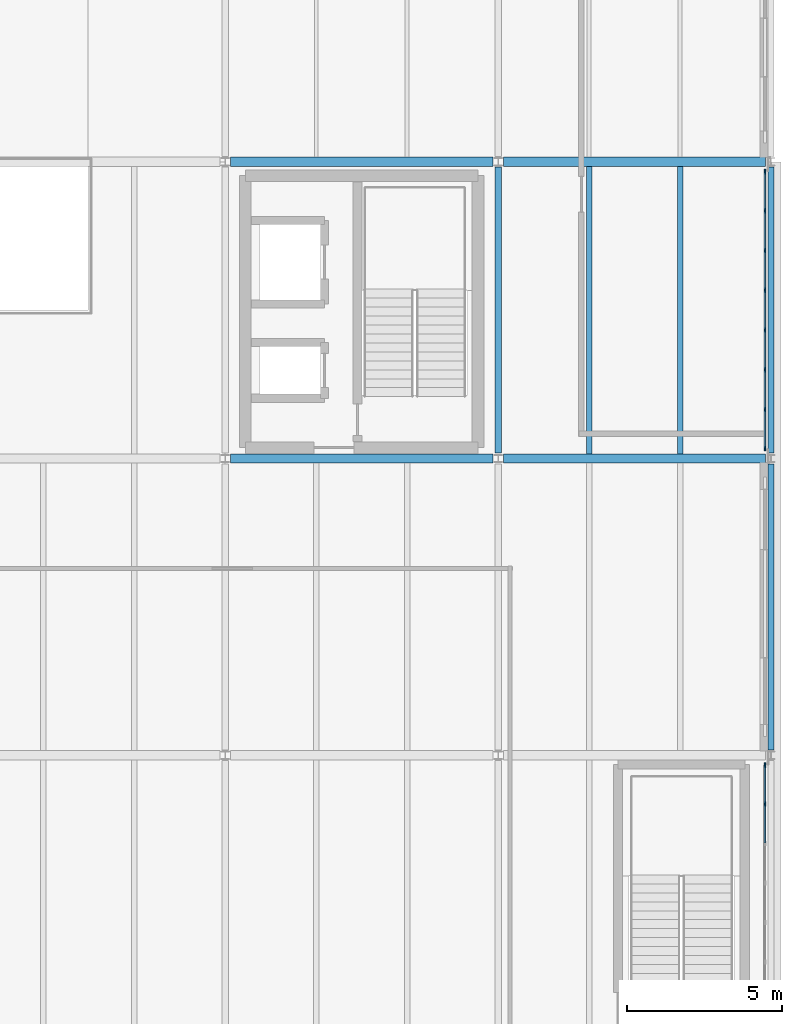
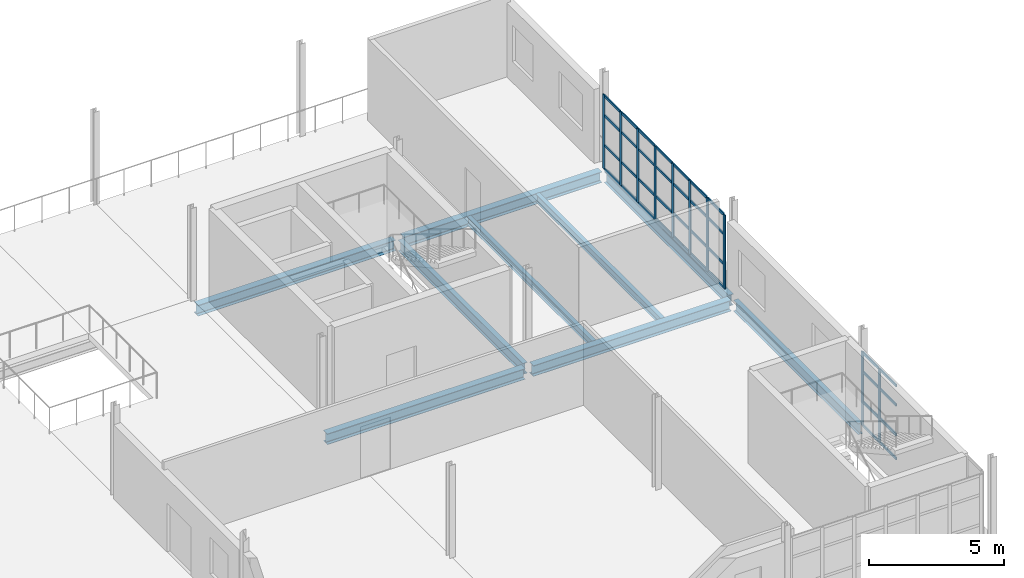
# One storey, part 32 of 58: 46 members, 9 beams, 2 elements without a shape of their own.
"""IFC4 building model written with IfcOpenShell, lengths in metres."""

from ifc_helpers import new_model, si_unit, direction, frame, origin, origin_2d, place, context, subcontext, project, spatial, rectangle, i_section, extrude, material, layer, layer_set, material_profile, profile_set, type_object, element, aggregate, save


model = new_model("IFC4")

# Units and contexts
model_context = context("Model", 3, precision=1e-05, world=origin(), true_north=direction((0.0, 1.0)))
body_context = subcontext(model_context, "Body", "Model", "MODEL_VIEW")
ifc_project = project(units=[si_unit("LENGTHUNIT", "METRE"), si_unit("AREAUNIT", "SQUARE_METRE"), si_unit("VOLUMEUNIT", "CUBIC_METRE"), si_unit("PLANEANGLEUNIT", "RADIAN"), si_unit("MASSUNIT", "GRAM", prefix="KILO")], contexts=[model_context])

# Site, building, storey
site_placement = place(None, origin())
site = spatial("IfcSite", under=ifc_project, at=site_placement, CompositionType="ELEMENT")
building_placement = place(site_placement, origin())
building = spatial("IfcBuilding", under=site, at=building_placement, Name="Yeouljin Market Hall", CompositionType="ELEMENT")
storey_placement = place(building_placement, frame((0.0, 0.0, 10.800048828125)))
storey = spatial("IfcBuildingStorey", under=building, at=storey_placement, Name="L02", CompositionType="ELEMENT", Elevation=10.800048828125)

# Beams
ifc_material_1 = material(Name="Steel SM355", Category="steel")
ifc_material_profile_1 = material_profile(ifc_material_1, i_section(OverallWidth=0.199951171875, OverallDepth=0.5, WebThickness=0.010009765625, FlangeThickness=0.01611328125, FilletRadius=0.02001953125, at=origin_2d()), Name="H-500x200x10x16")
ifc_profile_set_1 = profile_set([ifc_material_profile_1], Name="Steel SM355")
beam_type_1 = type_object("IfcBeamType", Name="Beam_H-500x200x10x16", PredefinedType="BEAM", material=ifc_profile_set_1)
for number, where, z_axis, x_axis, name in (
    (1, (167.570068359375, 19.375, -0.51513671875), (0.0, 1.0, 0.0), (-1.0, 0.0, 0.0), "Primary beam BM-L02-Y149"),
    (2, (176.39990234375, 9.77490234375, -0.51513671875), (0.0, 1.0, 0.0), (-1.0, 0.0, 0.0), "Primary beam BM-L02-Y152"),
    (3, (176.39990234375, 19.375, -0.51513671875), (0.0, 1.0, 0.0), (-1.0, 0.0, 0.0), "Primary beam BM-L02-Y153"),
):
    element("IfcBeam", number, at=place(storey_placement, frame(where, z_axis=z_axis, x_axis=x_axis)), inside=storey, type_object=beam_type_1, Name=name, PredefinedType="BEAM", context=body_context, shape_type="SweptSolid", body=[
        extrude(i_section(OverallWidth=0.199951171875, OverallDepth=0.5, WebThickness=0.010009765625, FlangeThickness=0.01611328125, FilletRadius=0.02001953125, at=origin_2d()), origin(), (0.0, 0.0, 1.0), 9.25),
    ])

# Curtain wall, members
ifc_material_2 = material(Name="Thermally Broken Aluminium", Category="aluminium")
ifc_layer = layer(ifc_material_2, 0.14990234375)
ifc_layer_set = layer_set([ifc_layer], Name="Thermally Broken Aluminium")
curtain_wall_type = type_object("IfcCurtainWallType", Name="CW_AcademyRibbon_System", PredefinedType="USERDEFINED", material=ifc_layer_set)
curtain_wall_1_placement = place(storey_placement, origin())
curtain_wall_1 = element("IfcCurtainWall", 4, at=curtain_wall_1_placement, inside=storey, type_object=curtain_wall_type, Name="Curtain wall CW-L02-W12", ObjectType="CURTAIN WALL", PredefinedType="USERDEFINED")
ifc_material_3 = material(Name="Thermally Broken Aluminium", Category="aluminium")
ifc_material_profile_2 = material_profile(ifc_material_3, rectangle(XDim=0.048095703125, YDim=0.14990234375, at=origin_2d()), Name="CW-MULL-48x150")
ifc_profile_set_2 = profile_set([ifc_material_profile_2], Name="Thermally Broken Aluminium")
member_type_1 = type_object("IfcMemberType", Name="CWMullion_48x150", PredefinedType="MULLION", material=ifc_profile_set_2)
member_1_placement = place(storey_placement, frame((176.199951171875, 28.47607421875, 0.0), z_axis=(0.0, 0.0, 1.0), x_axis=(1.0, 0.0, 0.0)))
member_1 = element("IfcMember", 5, at=member_1_placement, type_object=member_type_1, Name="CW-05 mullion 1", PredefinedType="MULLION", context=body_context, shape_type="SweptSolid", body=[
    extrude(rectangle(XDim=0.048095703125, YDim=0.14990234375, at=origin_2d()), origin(), (0.0, 0.0, 1.0), 3.349853515625),
])
member_2_placement = place(storey_placement, frame((176.199951171875, 27.21435546875, 0.0), z_axis=(0.0, 0.0, 1.0), x_axis=(1.0, 0.0, 0.0)))
member_2 = element("IfcMember", 6, at=member_2_placement, type_object=member_type_1, Name="CW-05 mullion 2", PredefinedType="MULLION", context=body_context, shape_type="SweptSolid", body=[
    extrude(rectangle(XDim=0.048095703125, YDim=0.14990234375, at=origin_2d()), origin(), (0.0, 0.0, 1.0), 3.349853515625),
])
member_3_placement = place(storey_placement, frame((176.199951171875, 25.928466796875, 0.0), z_axis=(0.0, 0.0, 1.0), x_axis=(1.0, 0.0, 0.0)))
member_3 = element("IfcMember", 7, at=member_3_placement, type_object=member_type_1, Name="CW-05 mullion 3", PredefinedType="MULLION", context=body_context, shape_type="SweptSolid", body=[
    extrude(rectangle(XDim=0.048095703125, YDim=0.14990234375, at=origin_2d()), origin(), (0.0, 0.0, 1.0), 3.349853515625),
])
member_4_placement = place(storey_placement, frame((176.199951171875, 24.642822265625, 0.0), z_axis=(0.0, 0.0, 1.0), x_axis=(1.0, 0.0, 0.0)))
member_4 = element("IfcMember", 8, at=member_4_placement, type_object=member_type_1, Name="CW-05 mullion 4", PredefinedType="MULLION", context=body_context, shape_type="SweptSolid", body=[
    extrude(rectangle(XDim=0.048095703125, YDim=0.14990234375, at=origin_2d()), origin(), (0.0, 0.0, 1.0), 3.349853515625),
])
member_5_placement = place(storey_placement, frame((176.199951171875, 23.357177734375, 0.0), z_axis=(0.0, 0.0, 1.0), x_axis=(1.0, 0.0, 0.0)))
member_5 = element("IfcMember", 9, at=member_5_placement, type_object=member_type_1, Name="CW-05 mullion 5", PredefinedType="MULLION", context=body_context, shape_type="SweptSolid", body=[
    extrude(rectangle(XDim=0.048095703125, YDim=0.14990234375, at=origin_2d()), origin(), (0.0, 0.0, 1.0), 3.349853515625),
])
member_6_placement = place(storey_placement, frame((176.199951171875, 22.071533203125, 0.0), z_axis=(0.0, 0.0, 1.0), x_axis=(1.0, 0.0, 0.0)))
member_6 = element("IfcMember", 10, at=member_6_placement, type_object=member_type_1, Name="CW-05 mullion 6", PredefinedType="MULLION", context=body_context, shape_type="SweptSolid", body=[
    extrude(rectangle(XDim=0.048095703125, YDim=0.14990234375, at=origin_2d()), origin(), (0.0, 0.0, 1.0), 3.349853515625),
])
member_7_placement = place(storey_placement, frame((176.199951171875, 20.78564453125, 0.0), z_axis=(0.0, 0.0, 1.0), x_axis=(1.0, 0.0, 0.0)))
member_7 = element("IfcMember", 11, at=member_7_placement, type_object=member_type_1, Name="CW-05 mullion 7", PredefinedType="MULLION", context=body_context, shape_type="SweptSolid", body=[
    extrude(rectangle(XDim=0.048095703125, YDim=0.14990234375, at=origin_2d()), origin(), (0.0, 0.0, 1.0), 3.349853515625),
])
member_8_placement = place(storey_placement, frame((176.199951171875, 19.52392578125, 0.0), z_axis=(0.0, 0.0, 1.0), x_axis=(1.0, 0.0, 0.0)))
member_8 = element("IfcMember", 12, at=member_8_placement, type_object=member_type_1, Name="CW-05 mullion 8", PredefinedType="MULLION", context=body_context, shape_type="SweptSolid", body=[
    extrude(rectangle(XDim=0.048095703125, YDim=0.14990234375, at=origin_2d()), origin(), (0.0, 0.0, 1.0), 3.349853515625),
])

curtain_wall_2_placement = place(storey_placement, origin())
curtain_wall_2 = element("IfcCurtainWall", 13, at=curtain_wall_2_placement, inside=storey, type_object=curtain_wall_type, Name="Curtain wall CW-L02-W14", ObjectType="CURTAIN WALL", PredefinedType="USERDEFINED")
member_9_placement = place(storey_placement, frame((176.199951171875, 9.27587890625, 0.0), z_axis=(0.0, 0.0, 1.0), x_axis=(1.0, 0.0, 0.0)))
member_9 = element("IfcMember", 14, at=member_9_placement, type_object=member_type_1, Name="CW-05 mullion 1", PredefinedType="MULLION", context=body_context, shape_type="SweptSolid", body=[
    extrude(rectangle(XDim=0.048095703125, YDim=0.14990234375, at=origin_2d()), origin(), (0.0, 0.0, 1.0), 3.349853515625),
])
member_10_placement = place(storey_placement, frame((176.199951171875, 8.021484375, 0.0), z_axis=(0.0, 0.0, 1.0), x_axis=(1.0, 0.0, 0.0)))
member_10 = element("IfcMember", 15, at=member_10_placement, type_object=member_type_1, Name="CW-05 mullion 2", PredefinedType="MULLION", context=body_context, shape_type="SweptSolid", body=[
    extrude(rectangle(XDim=0.048095703125, YDim=0.14990234375, at=origin_2d()), origin(), (0.0, 0.0, 1.0), 3.349853515625),
])

# Member
ifc_material_4 = material(Name="Thermally Broken Aluminium", Category="aluminium")
ifc_material_profile_3 = material_profile(ifc_material_4, rectangle(XDim=0.048095703125, YDim=0.1201171875, at=origin_2d()), Name="CW-TRAN-48x120")
ifc_profile_set_3 = profile_set([ifc_material_profile_3], Name="Thermally Broken Aluminium")
member_type_2 = type_object("IfcMemberType", Name="CWTransom_48x120", PredefinedType="USERDEFINED", material=ifc_profile_set_3)
member_11_placement = place(storey_placement, frame((176.199951171875, 28.451904296875, 0.02392578125), z_axis=(0.0, -1.0, 0.0), x_axis=(1.0, 0.0, 0.0)))
member_11 = element("IfcMember", 16, at=member_11_placement, type_object=member_type_2, Name="CW-05 transom 1.1", ObjectType="TRANSOM", PredefinedType="USERDEFINED", context=body_context, shape_type="SweptSolid", body=[
    extrude(rectangle(XDim=0.048095703125, YDim=0.1201171875, at=origin_2d()), origin(), (0.0, 0.0, 1.0), 1.213623046875),
])

member_12_placement = place(storey_placement, frame((176.199951171875, 28.451904296875, 1.099853515625), z_axis=(0.0, -1.0, 0.0), x_axis=(1.0, 0.0, 0.0)))
member_12 = element("IfcMember", 17, at=member_12_placement, type_object=member_type_2, Name="CW-05 transom 1.2", ObjectType="TRANSOM", PredefinedType="USERDEFINED", context=body_context, shape_type="SweptSolid", body=[
    extrude(rectangle(XDim=0.048095703125, YDim=0.1201171875, at=origin_2d()), origin(), (0.0, 0.0, 1.0), 1.213623046875),
])

member_13_placement = place(storey_placement, frame((176.199951171875, 28.451904296875, 2.449951171875), z_axis=(0.0, -1.0, 0.0), x_axis=(1.0, 0.0, 0.0)))
member_13 = element("IfcMember", 18, at=member_13_placement, type_object=member_type_2, Name="CW-05 transom 1.3", ObjectType="TRANSOM", PredefinedType="USERDEFINED", context=body_context, shape_type="SweptSolid", body=[
    extrude(rectangle(XDim=0.048095703125, YDim=0.1201171875, at=origin_2d()), origin(), (0.0, 0.0, 1.0), 1.213623046875),
])

member_14_placement = place(storey_placement, frame((176.199951171875, 28.451904296875, 3.325927734375), z_axis=(0.0, -1.0, 0.0), x_axis=(1.0, 0.0, 0.0)))
member_14 = element("IfcMember", 19, at=member_14_placement, type_object=member_type_2, Name="CW-05 transom 1.4", ObjectType="TRANSOM", PredefinedType="USERDEFINED", context=body_context, shape_type="SweptSolid", body=[
    extrude(rectangle(XDim=0.048095703125, YDim=0.1201171875, at=origin_2d()), origin(), (0.0, 0.0, 1.0), 1.213623046875),
])

member_15_placement = place(storey_placement, frame((176.199951171875, 27.190185546875, 0.02392578125), z_axis=(0.0, -1.0, 0.0), x_axis=(1.0, 0.0, 0.0)))
member_15 = element("IfcMember", 20, at=member_15_placement, type_object=member_type_2, Name="CW-05 transom 2.1", ObjectType="TRANSOM", PredefinedType="USERDEFINED", context=body_context, shape_type="SweptSolid", body=[
    extrude(rectangle(XDim=0.048095703125, YDim=0.1201171875, at=origin_2d()), origin(), (0.0, 0.0, 1.0), 1.237548828125),
])

member_16_placement = place(storey_placement, frame((176.199951171875, 27.190185546875, 1.099853515625), z_axis=(0.0, -1.0, 0.0), x_axis=(1.0, 0.0, 0.0)))
member_16 = element("IfcMember", 21, at=member_16_placement, type_object=member_type_2, Name="CW-05 transom 2.2", ObjectType="TRANSOM", PredefinedType="USERDEFINED", context=body_context, shape_type="SweptSolid", body=[
    extrude(rectangle(XDim=0.048095703125, YDim=0.1201171875, at=origin_2d()), origin(), (0.0, 0.0, 1.0), 1.237548828125),
])

member_17_placement = place(storey_placement, frame((176.199951171875, 27.190185546875, 2.449951171875), z_axis=(0.0, -1.0, 0.0), x_axis=(1.0, 0.0, 0.0)))
member_17 = element("IfcMember", 22, at=member_17_placement, type_object=member_type_2, Name="CW-05 transom 2.3", ObjectType="TRANSOM", PredefinedType="USERDEFINED", context=body_context, shape_type="SweptSolid", body=[
    extrude(rectangle(XDim=0.048095703125, YDim=0.1201171875, at=origin_2d()), origin(), (0.0, 0.0, 1.0), 1.237548828125),
])

member_18_placement = place(storey_placement, frame((176.199951171875, 27.190185546875, 3.325927734375), z_axis=(0.0, -1.0, 0.0), x_axis=(1.0, 0.0, 0.0)))
member_18 = element("IfcMember", 23, at=member_18_placement, type_object=member_type_2, Name="CW-05 transom 2.4", ObjectType="TRANSOM", PredefinedType="USERDEFINED", context=body_context, shape_type="SweptSolid", body=[
    extrude(rectangle(XDim=0.048095703125, YDim=0.1201171875, at=origin_2d()), origin(), (0.0, 0.0, 1.0), 1.237548828125),
])

member_19_placement = place(storey_placement, frame((176.199951171875, 25.904541015625, 0.02392578125), z_axis=(0.0, -1.0, 0.0), x_axis=(1.0, 0.0, 0.0)))
member_19 = element("IfcMember", 24, at=member_19_placement, type_object=member_type_2, Name="CW-05 transom 3.1", ObjectType="TRANSOM", PredefinedType="USERDEFINED", context=body_context, shape_type="SweptSolid", body=[
    extrude(rectangle(XDim=0.048095703125, YDim=0.1201171875, at=origin_2d()), origin(), (0.0, 0.0, 1.0), 1.23779296875),
])

member_20_placement = place(storey_placement, frame((176.199951171875, 25.904541015625, 1.099853515625), z_axis=(0.0, -1.0, 0.0), x_axis=(1.0, 0.0, 0.0)))
member_20 = element("IfcMember", 25, at=member_20_placement, type_object=member_type_2, Name="CW-05 transom 3.2", ObjectType="TRANSOM", PredefinedType="USERDEFINED", context=body_context, shape_type="SweptSolid", body=[
    extrude(rectangle(XDim=0.048095703125, YDim=0.1201171875, at=origin_2d()), origin(), (0.0, 0.0, 1.0), 1.23779296875),
])

member_21_placement = place(storey_placement, frame((176.199951171875, 25.904541015625, 2.449951171875), z_axis=(0.0, -1.0, 0.0), x_axis=(1.0, 0.0, 0.0)))
member_21 = element("IfcMember", 26, at=member_21_placement, type_object=member_type_2, Name="CW-05 transom 3.3", ObjectType="TRANSOM", PredefinedType="USERDEFINED", context=body_context, shape_type="SweptSolid", body=[
    extrude(rectangle(XDim=0.048095703125, YDim=0.1201171875, at=origin_2d()), origin(), (0.0, 0.0, 1.0), 1.23779296875),
])

member_22_placement = place(storey_placement, frame((176.199951171875, 25.904541015625, 3.325927734375), z_axis=(0.0, -1.0, 0.0), x_axis=(1.0, 0.0, 0.0)))
member_22 = element("IfcMember", 27, at=member_22_placement, type_object=member_type_2, Name="CW-05 transom 3.4", ObjectType="TRANSOM", PredefinedType="USERDEFINED", context=body_context, shape_type="SweptSolid", body=[
    extrude(rectangle(XDim=0.048095703125, YDim=0.1201171875, at=origin_2d()), origin(), (0.0, 0.0, 1.0), 1.23779296875),
])

member_23_placement = place(storey_placement, frame((176.199951171875, 24.618896484375, 0.02392578125), z_axis=(0.0, -1.0, 0.0), x_axis=(1.0, 0.0, 0.0)))
member_23 = element("IfcMember", 28, at=member_23_placement, type_object=member_type_2, Name="CW-05 transom 4.1", ObjectType="TRANSOM", PredefinedType="USERDEFINED", context=body_context, shape_type="SweptSolid", body=[
    extrude(rectangle(XDim=0.048095703125, YDim=0.1201171875, at=origin_2d()), origin(), (0.0, 0.0, 1.0), 1.23779296875),
])

member_24_placement = place(storey_placement, frame((176.199951171875, 24.618896484375, 1.099853515625), z_axis=(0.0, -1.0, 0.0), x_axis=(1.0, 0.0, 0.0)))
member_24 = element("IfcMember", 29, at=member_24_placement, type_object=member_type_2, Name="CW-05 transom 4.2", ObjectType="TRANSOM", PredefinedType="USERDEFINED", context=body_context, shape_type="SweptSolid", body=[
    extrude(rectangle(XDim=0.048095703125, YDim=0.1201171875, at=origin_2d()), origin(), (0.0, 0.0, 1.0), 1.23779296875),
])

member_25_placement = place(storey_placement, frame((176.199951171875, 24.618896484375, 2.449951171875), z_axis=(0.0, -1.0, 0.0), x_axis=(1.0, 0.0, 0.0)))
member_25 = element("IfcMember", 30, at=member_25_placement, type_object=member_type_2, Name="CW-05 transom 4.3", ObjectType="TRANSOM", PredefinedType="USERDEFINED", context=body_context, shape_type="SweptSolid", body=[
    extrude(rectangle(XDim=0.048095703125, YDim=0.1201171875, at=origin_2d()), origin(), (0.0, 0.0, 1.0), 1.23779296875),
])

member_26_placement = place(storey_placement, frame((176.199951171875, 24.618896484375, 3.325927734375), z_axis=(0.0, -1.0, 0.0), x_axis=(1.0, 0.0, 0.0)))
member_26 = element("IfcMember", 31, at=member_26_placement, type_object=member_type_2, Name="CW-05 transom 4.4", ObjectType="TRANSOM", PredefinedType="USERDEFINED", context=body_context, shape_type="SweptSolid", body=[
    extrude(rectangle(XDim=0.048095703125, YDim=0.1201171875, at=origin_2d()), origin(), (0.0, 0.0, 1.0), 1.23779296875),
])

member_27_placement = place(storey_placement, frame((176.199951171875, 23.333251953125, 0.02392578125), z_axis=(0.0, -1.0, 0.0), x_axis=(1.0, 0.0, 0.0)))
member_27 = element("IfcMember", 32, at=member_27_placement, type_object=member_type_2, Name="CW-05 transom 5.1", ObjectType="TRANSOM", PredefinedType="USERDEFINED", context=body_context, shape_type="SweptSolid", body=[
    extrude(rectangle(XDim=0.048095703125, YDim=0.1201171875, at=origin_2d()), origin(), (0.0, 0.0, 1.0), 1.23779296875),
])

member_28_placement = place(storey_placement, frame((176.199951171875, 23.333251953125, 1.099853515625), z_axis=(0.0, -1.0, 0.0), x_axis=(1.0, 0.0, 0.0)))
member_28 = element("IfcMember", 33, at=member_28_placement, type_object=member_type_2, Name="CW-05 transom 5.2", ObjectType="TRANSOM", PredefinedType="USERDEFINED", context=body_context, shape_type="SweptSolid", body=[
    extrude(rectangle(XDim=0.048095703125, YDim=0.1201171875, at=origin_2d()), origin(), (0.0, 0.0, 1.0), 1.23779296875),
])

member_29_placement = place(storey_placement, frame((176.199951171875, 23.333251953125, 2.449951171875), z_axis=(0.0, -1.0, 0.0), x_axis=(1.0, 0.0, 0.0)))
member_29 = element("IfcMember", 34, at=member_29_placement, type_object=member_type_2, Name="CW-05 transom 5.3", ObjectType="TRANSOM", PredefinedType="USERDEFINED", context=body_context, shape_type="SweptSolid", body=[
    extrude(rectangle(XDim=0.048095703125, YDim=0.1201171875, at=origin_2d()), origin(), (0.0, 0.0, 1.0), 1.23779296875),
])

member_30_placement = place(storey_placement, frame((176.199951171875, 23.333251953125, 3.325927734375), z_axis=(0.0, -1.0, 0.0), x_axis=(1.0, 0.0, 0.0)))
member_30 = element("IfcMember", 35, at=member_30_placement, type_object=member_type_2, Name="CW-05 transom 5.4", ObjectType="TRANSOM", PredefinedType="USERDEFINED", context=body_context, shape_type="SweptSolid", body=[
    extrude(rectangle(XDim=0.048095703125, YDim=0.1201171875, at=origin_2d()), origin(), (0.0, 0.0, 1.0), 1.23779296875),
])

member_31_placement = place(storey_placement, frame((176.199951171875, 22.04736328125, 0.02392578125), z_axis=(0.0, -1.0, 0.0), x_axis=(1.0, 0.0, 0.0)))
member_31 = element("IfcMember", 36, at=member_31_placement, type_object=member_type_2, Name="CW-05 transom 6.1", ObjectType="TRANSOM", PredefinedType="USERDEFINED", context=body_context, shape_type="SweptSolid", body=[
    extrude(rectangle(XDim=0.048095703125, YDim=0.1201171875, at=origin_2d()), origin(), (0.0, 0.0, 1.0), 1.237548828125),
])

member_32_placement = place(storey_placement, frame((176.199951171875, 22.04736328125, 1.099853515625), z_axis=(0.0, -1.0, 0.0), x_axis=(1.0, 0.0, 0.0)))
member_32 = element("IfcMember", 37, at=member_32_placement, type_object=member_type_2, Name="CW-05 transom 6.2", ObjectType="TRANSOM", PredefinedType="USERDEFINED", context=body_context, shape_type="SweptSolid", body=[
    extrude(rectangle(XDim=0.048095703125, YDim=0.1201171875, at=origin_2d()), origin(), (0.0, 0.0, 1.0), 1.237548828125),
])

member_33_placement = place(storey_placement, frame((176.199951171875, 22.04736328125, 2.449951171875), z_axis=(0.0, -1.0, 0.0), x_axis=(1.0, 0.0, 0.0)))
member_33 = element("IfcMember", 38, at=member_33_placement, type_object=member_type_2, Name="CW-05 transom 6.3", ObjectType="TRANSOM", PredefinedType="USERDEFINED", context=body_context, shape_type="SweptSolid", body=[
    extrude(rectangle(XDim=0.048095703125, YDim=0.1201171875, at=origin_2d()), origin(), (0.0, 0.0, 1.0), 1.237548828125),
])

member_34_placement = place(storey_placement, frame((176.199951171875, 22.04736328125, 3.325927734375), z_axis=(0.0, -1.0, 0.0), x_axis=(1.0, 0.0, 0.0)))
member_34 = element("IfcMember", 39, at=member_34_placement, type_object=member_type_2, Name="CW-05 transom 6.4", ObjectType="TRANSOM", PredefinedType="USERDEFINED", context=body_context, shape_type="SweptSolid", body=[
    extrude(rectangle(XDim=0.048095703125, YDim=0.1201171875, at=origin_2d()), origin(), (0.0, 0.0, 1.0), 1.237548828125),
])

member_35_placement = place(storey_placement, frame((176.199951171875, 20.76171875, 0.02392578125), z_axis=(0.0, -1.0, 0.0), x_axis=(1.0, 0.0, 0.0)))
member_35 = element("IfcMember", 40, at=member_35_placement, type_object=member_type_2, Name="CW-05 transom 7.1", ObjectType="TRANSOM", PredefinedType="USERDEFINED", context=body_context, shape_type="SweptSolid", body=[
    extrude(rectangle(XDim=0.048095703125, YDim=0.1201171875, at=origin_2d()), origin(), (0.0, 0.0, 1.0), 1.213623046875),
])

member_36_placement = place(storey_placement, frame((176.199951171875, 20.76171875, 1.099853515625), z_axis=(0.0, -1.0, 0.0), x_axis=(1.0, 0.0, 0.0)))
member_36 = element("IfcMember", 41, at=member_36_placement, type_object=member_type_2, Name="CW-05 transom 7.2", ObjectType="TRANSOM", PredefinedType="USERDEFINED", context=body_context, shape_type="SweptSolid", body=[
    extrude(rectangle(XDim=0.048095703125, YDim=0.1201171875, at=origin_2d()), origin(), (0.0, 0.0, 1.0), 1.213623046875),
])

member_37_placement = place(storey_placement, frame((176.199951171875, 20.76171875, 2.449951171875), z_axis=(0.0, -1.0, 0.0), x_axis=(1.0, 0.0, 0.0)))
member_37 = element("IfcMember", 42, at=member_37_placement, type_object=member_type_2, Name="CW-05 transom 7.3", ObjectType="TRANSOM", PredefinedType="USERDEFINED", context=body_context, shape_type="SweptSolid", body=[
    extrude(rectangle(XDim=0.048095703125, YDim=0.1201171875, at=origin_2d()), origin(), (0.0, 0.0, 1.0), 1.213623046875),
])

member_38_placement = place(storey_placement, frame((176.199951171875, 20.76171875, 3.325927734375), z_axis=(0.0, -1.0, 0.0), x_axis=(1.0, 0.0, 0.0)))
member_38 = element("IfcMember", 43, at=member_38_placement, type_object=member_type_2, Name="CW-05 transom 7.4", ObjectType="TRANSOM", PredefinedType="USERDEFINED", context=body_context, shape_type="SweptSolid", body=[
    extrude(rectangle(XDim=0.048095703125, YDim=0.1201171875, at=origin_2d()), origin(), (0.0, 0.0, 1.0), 1.213623046875),
])

aggregate(curtain_wall_1, [member_1, member_2, member_3, member_4, member_5, member_6, member_7, member_8, member_11, member_12, member_13, member_14, member_15, member_16, member_17, member_18, member_19, member_20, member_21, member_22, member_23, member_24, member_25, member_26, member_27, member_28, member_29, member_30, member_31, member_32, member_33, member_34, member_35, member_36, member_37, member_38])

member_39_placement = place(storey_placement, frame((176.199951171875, 9.251953125, 0.02392578125), z_axis=(0.0, -1.0, 0.0), x_axis=(1.0, 0.0, 0.0)))
member_39 = element("IfcMember", 44, at=member_39_placement, type_object=member_type_2, Name="CW-05 transom 1.1", ObjectType="TRANSOM", PredefinedType="USERDEFINED", context=body_context, shape_type="SweptSolid", body=[
    extrude(rectangle(XDim=0.048095703125, YDim=0.1201171875, at=origin_2d()), origin(), (0.0, 0.0, 1.0), 1.20654296875),
])

member_40_placement = place(storey_placement, frame((176.199951171875, 9.251953125, 1.099853515625), z_axis=(0.0, -1.0, 0.0), x_axis=(1.0, 0.0, 0.0)))
member_40 = element("IfcMember", 45, at=member_40_placement, type_object=member_type_2, Name="CW-05 transom 1.2", ObjectType="TRANSOM", PredefinedType="USERDEFINED", context=body_context, shape_type="SweptSolid", body=[
    extrude(rectangle(XDim=0.048095703125, YDim=0.1201171875, at=origin_2d()), origin(), (0.0, 0.0, 1.0), 1.20654296875),
])

member_41_placement = place(storey_placement, frame((176.199951171875, 9.251953125, 2.449951171875), z_axis=(0.0, -1.0, 0.0), x_axis=(1.0, 0.0, 0.0)))
member_41 = element("IfcMember", 46, at=member_41_placement, type_object=member_type_2, Name="CW-05 transom 1.3", ObjectType="TRANSOM", PredefinedType="USERDEFINED", context=body_context, shape_type="SweptSolid", body=[
    extrude(rectangle(XDim=0.048095703125, YDim=0.1201171875, at=origin_2d()), origin(), (0.0, 0.0, 1.0), 1.20654296875),
])

member_42_placement = place(storey_placement, frame((176.199951171875, 9.251953125, 3.325927734375), z_axis=(0.0, -1.0, 0.0), x_axis=(1.0, 0.0, 0.0)))
member_42 = element("IfcMember", 47, at=member_42_placement, type_object=member_type_2, Name="CW-05 transom 1.4", ObjectType="TRANSOM", PredefinedType="USERDEFINED", context=body_context, shape_type="SweptSolid", body=[
    extrude(rectangle(XDim=0.048095703125, YDim=0.1201171875, at=origin_2d()), origin(), (0.0, 0.0, 1.0), 1.20654296875),
])

member_43_placement = place(storey_placement, frame((176.199951171875, 7.997314453125, 0.02392578125), z_axis=(0.0, -1.0, 0.0), x_axis=(1.0, 0.0, 0.0)))
member_43 = element("IfcMember", 48, at=member_43_placement, type_object=member_type_2, Name="CW-05 transom 2.1", ObjectType="TRANSOM", PredefinedType="USERDEFINED", context=body_context, shape_type="SweptSolid", body=[
    extrude(rectangle(XDim=0.048095703125, YDim=0.1201171875, at=origin_2d()), origin(), (0.0, 0.0, 1.0), 1.23046875),
])

member_44_placement = place(storey_placement, frame((176.199951171875, 7.997314453125, 1.099853515625), z_axis=(0.0, -1.0, 0.0), x_axis=(1.0, 0.0, 0.0)))
member_44 = element("IfcMember", 49, at=member_44_placement, type_object=member_type_2, Name="CW-05 transom 2.2", ObjectType="TRANSOM", PredefinedType="USERDEFINED", context=body_context, shape_type="SweptSolid", body=[
    extrude(rectangle(XDim=0.048095703125, YDim=0.1201171875, at=origin_2d()), origin(), (0.0, 0.0, 1.0), 1.23046875),
])

member_45_placement = place(storey_placement, frame((176.199951171875, 7.997314453125, 2.449951171875), z_axis=(0.0, -1.0, 0.0), x_axis=(1.0, 0.0, 0.0)))
member_45 = element("IfcMember", 50, at=member_45_placement, type_object=member_type_2, Name="CW-05 transom 2.3", ObjectType="TRANSOM", PredefinedType="USERDEFINED", context=body_context, shape_type="SweptSolid", body=[
    extrude(rectangle(XDim=0.048095703125, YDim=0.1201171875, at=origin_2d()), origin(), (0.0, 0.0, 1.0), 1.23046875),
])

member_46_placement = place(storey_placement, frame((176.199951171875, 7.997314453125, 3.325927734375), z_axis=(0.0, -1.0, 0.0), x_axis=(1.0, 0.0, 0.0)))
member_46 = element("IfcMember", 51, at=member_46_placement, type_object=member_type_2, Name="CW-05 transom 2.4", ObjectType="TRANSOM", PredefinedType="USERDEFINED", context=body_context, shape_type="SweptSolid", body=[
    extrude(rectangle(XDim=0.048095703125, YDim=0.1201171875, at=origin_2d()), origin(), (0.0, 0.0, 1.0), 1.23046875),
])

aggregate(curtain_wall_2, [member_9, member_10, member_39, member_40, member_41, member_42, member_43, member_44, member_45, member_46])

# Beams
ifc_material_5 = material(Name="Steel SM355", Category="steel")
ifc_material_profile_4 = material_profile(ifc_material_5, i_section(OverallWidth=0.300048828125, OverallDepth=0.488037109375, WebThickness=0.010986328125, FlangeThickness=0.01806640625, FilletRadius=0.02197265625, at=origin_2d()), Name="H-488x300x11x18")
ifc_profile_set_4 = profile_set([ifc_material_profile_4], Name="Steel SM355")
beam_type_2 = type_object("IfcBeamType", Name="Girder_H-488x300x11x18", PredefinedType="USERDEFINED", material=ifc_profile_set_4)
for number, where, z_axis, x_axis, name in (
    (52, (158.9150390625, 19.199951171875, -0.509033203125), (1.0, 0.0, 0.0), (0.0, 1.0, 0.0), "Primary girder GRD-L02-X023"),
    (53, (167.7451171875, 19.199951171875, -0.509033203125), (1.0, 0.0, 0.0), (0.0, 1.0, 0.0), "Primary girder GRD-L02-X024"),
    (54, (158.9150390625, 28.800048828125, -0.509033203125), (1.0, 0.0, 0.0), (0.0, 1.0, 0.0), "Primary girder GRD-L02-X031"),
    (55, (167.7451171875, 28.800048828125, -0.509033203125), (1.0, 0.0, 0.0), (0.0, 1.0, 0.0), "Primary girder GRD-L02-X032"),
):
    element("IfcBeam", number, at=place(storey_placement, frame(where, z_axis=z_axis, x_axis=x_axis)), inside=storey, type_object=beam_type_2, Name=name, ObjectType="GIRDER", PredefinedType="USERDEFINED", context=body_context, shape_type="SweptSolid", body=[
        extrude(i_section(OverallWidth=0.300048828125, OverallDepth=0.488037109375, WebThickness=0.010986328125, FlangeThickness=0.01806640625, FilletRadius=0.02197265625, at=origin_2d()), origin(), (0.0, 0.0, 1.0), 8.47998046875),
    ])
ifc_material_6 = material(Name="Steel SM355", Category="steel")
ifc_material_profile_5 = material_profile(ifc_material_6, i_section(OverallWidth=0.175048828125, OverallDepth=0.35009765625, WebThickness=0.007080078125, FlangeThickness=0.010986328125, FilletRadius=0.013916015625, at=origin_2d()), Name="H-350x175x7x11")
ifc_profile_set_5 = profile_set([ifc_material_profile_5], Name="Steel SM355")
beam_type_3 = type_object("IfcBeamType", Name="Joist_H-350x175x7x11", PredefinedType="JOIST", material=ifc_profile_set_5)
for number, where, z_axis, x_axis, name in (
    (56, (170.51318359375, 19.346923828125, -0.43994140625), (0.0, 1.0, 0.0), (-1.0, 0.0, 0.0), "Secondary floor joist L02-083"),
    (57, (173.456787109375, 19.346923828125, -0.43994140625), (0.0, 1.0, 0.0), (-1.0, 0.0, 0.0), "Secondary floor joist L02-084"),
):
    element("IfcBeam", number, at=place(storey_placement, frame(where, z_axis=z_axis, x_axis=x_axis)), inside=storey, type_object=beam_type_3, Name=name, PredefinedType="JOIST", context=body_context, shape_type="SweptSolid", body=[
        extrude(i_section(OverallWidth=0.175048828125, OverallDepth=0.35009765625, WebThickness=0.007080078125, FlangeThickness=0.010986328125, FilletRadius=0.013916015625, at=origin_2d()), origin(), (0.0, 0.0, 1.0), 9.30615234375),
    ])

save(model, "model.ifc")
